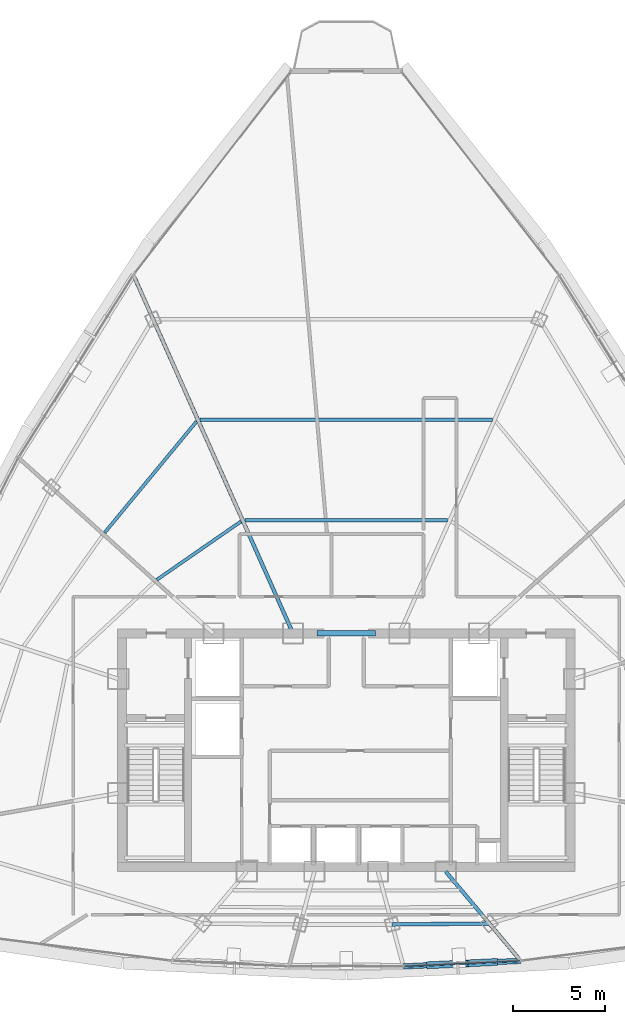
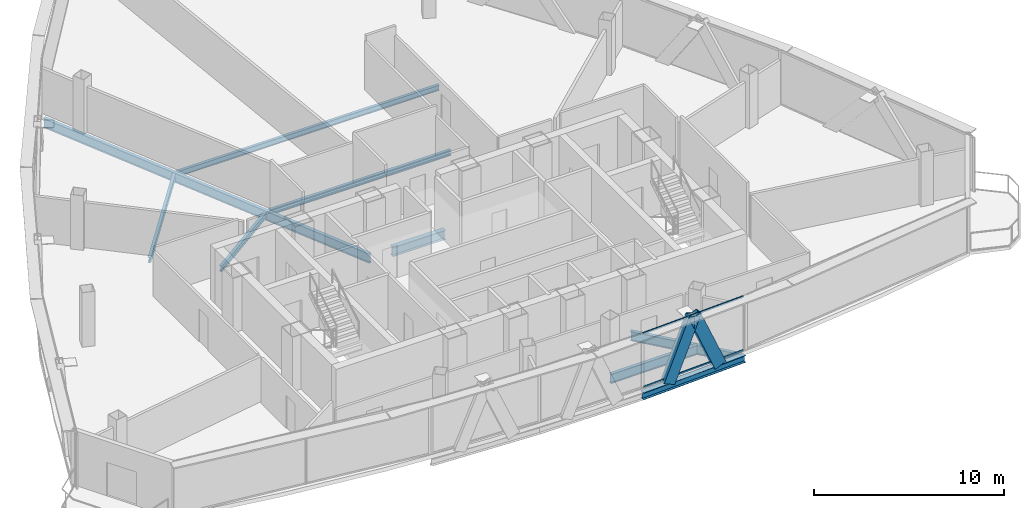
# One storey, part 10 of 30: 9 beams, 4 members, 1 element without a shape of its own.
"""IFC4 building model written with IfcOpenShell, lengths in metres."""

from ifc_helpers import new_model, si_unit, direction, frame, origin, origin_2d, place, context, subcontext, project, spatial, hollow_rectangle, i_section, extrude, source, transform, mapped, material, layer, layer_set, material_profile, profile_set, type_object, element, aggregate, save


model = new_model("IFC4")

# Units and contexts
model_context = context("Model", 3, precision=1e-05, world=origin(), true_north=direction((0.0, 1.0)))
body_context = subcontext(model_context, "Body", "Model", "MODEL_VIEW")
ifc_project = project(units=[si_unit("LENGTHUNIT", "METRE"), si_unit("AREAUNIT", "SQUARE_METRE"), si_unit("VOLUMEUNIT", "CUBIC_METRE"), si_unit("PLANEANGLEUNIT", "RADIAN"), si_unit("MASSUNIT", "GRAM", prefix="KILO"), si_unit("THERMODYNAMICTEMPERATUREUNIT", "KELVIN"), si_unit("POWERUNIT", "WATT")], contexts=[model_context])

# Site, building, storey
site_placement = place(None, origin())
site = spatial("IfcSite", under=ifc_project, at=site_placement, CompositionType="ELEMENT")
building_placement = place(site_placement, origin())
building = spatial("IfcBuilding", under=site, at=building_placement, Name="Yunzhuo Pagoda Commons", CompositionType="ELEMENT")
storey_placement = place(building_placement, frame((0.0, 0.0, 355.510009765625)))
storey = spatial("IfcBuildingStorey", under=building, at=storey_placement, Name="L89", CompositionType="ELEMENT", Elevation=355.510009765625)

# Beams
ifc_material_1 = material(Name="Structural steel Q420B", Category="steel")
ifc_material_profile_1 = material_profile(ifc_material_1, i_section(OverallWidth=0.300048828125, OverallDepth=0.587890625, WebThickness=0.011962890625, FlangeThickness=0.02001953125, at=origin_2d()), Name="Structural steel Q420B")
ifc_profile_set_1 = profile_set([ifc_material_profile_1], Name="Structural steel Q420B")
beam_type_1 = type_object("IfcBeamType", Name="B-CPL Beam HM 588x300x12x20", PredefinedType="BEAM", material=ifc_profile_set_1)
shared_shape_1 = source(origin(), body_context, "Body", "SweptSolid", [
    extrude(i_section(OverallWidth=0.300048828125, OverallDepth=0.587890625, WebThickness=0.011962890625, FlangeThickness=0.02001953125, at=origin_2d()), origin(), (0.0, 0.0, 1.0), 3.2001953125),
])
beam_1_placement = place(storey_placement, frame((46.39990234375, 40.199951171875, -0.553955078125), z_axis=(1.0, 0.0, 0.0), x_axis=(0.0, 1.0, 0.0)))
element("IfcBeam", 1, at=beam_1_placement, inside=storey, type_object=beam_type_1, Name="L89 core coupling girder", PredefinedType="BEAM", context=body_context, shape_type="MappedRepresentation", body=[
    mapped(shared_shape_1, transform((0.0, 0.0, 0.0), scale=1.0)),
])
ifc_material_2 = material(Name="Structural steel Q355B", Category="steel")
ifc_material_profile_2 = material_profile(ifc_material_2, i_section(OverallWidth=0.199951171875, OverallDepth=0.60009765625, WebThickness=0.010986328125, FlangeThickness=0.01708984375, at=origin_2d()), Name="Structural steel Q355B")
ifc_profile_set_2 = profile_set([ifc_material_profile_2], Name="Structural steel Q355B")
beam_type_2 = type_object("IfcBeamType", Name="B-RG3 Beam HN 600x200x11x17", PredefinedType="BEAM", material=ifc_profile_set_2)
shared_shape_2 = source(origin(), body_context, "Body", "SweptSolid", [
    extrude(i_section(OverallWidth=0.199951171875, OverallDepth=0.60009765625, WebThickness=0.010986328125, FlangeThickness=0.01708984375, at=origin_2d()), origin(), (0.0, 0.0, 1.0), 5.286376953125),
])
beam_2_placement = place(storey_placement, frame((50.499267578125, 24.372802734375, -0.56005859375), z_axis=(0.999957341442, 0.009236627946, 0.0), x_axis=(-0.009236627946, 0.999957341442, 0.0)))
element("IfcBeam", 2, at=beam_2_placement, inside=storey, type_object=beam_type_2, Name="L89 column-ring beam 3", PredefinedType="BEAM", context=body_context, shape_type="MappedRepresentation", body=[
    mapped(shared_shape_2, transform((0.0, 0.0, 0.0), scale=1.0)),
])
ifc_material_profile_3 = material_profile(ifc_material_2, i_section(OverallWidth=0.175048828125, OverallDepth=0.35009765625, WebThickness=0.007080078125, FlangeThickness=0.010986328125, at=origin_2d()), Name="Structural steel Q355B")
ifc_profile_set_3 = profile_set([ifc_material_profile_3], Name="Structural steel Q355B")
beam_type_3 = type_object("IfcBeamType", Name="B-JS2 Joist HN 350x175x7x11", PredefinedType="JOIST", material=ifc_profile_set_3)
shared_shape_3 = source(origin(), body_context, "Body", "SweptSolid", [
    extrude(i_section(OverallWidth=0.175048828125, OverallDepth=0.35009765625, WebThickness=0.007080078125, FlangeThickness=0.010986328125, at=origin_2d()), origin(), (0.0, 0.0, 1.0), 5.556640625),
])
beam_3_placement = place(storey_placement, frame((42.273681640625, 46.28369140625, -0.43505859375), z_axis=(-0.822084621883, -0.569365326011, 0.0), x_axis=(0.569365326011, -0.822084621883, 0.0)))
element("IfcBeam", 3, at=beam_3_placement, inside=storey, type_object=beam_type_3, Name="L89 composite ring joist 1.9", PredefinedType="JOIST", context=body_context, shape_type="MappedRepresentation", body=[
    mapped(shared_shape_3, transform((0.0, 0.0, 0.0), scale=1.0)),
])
shared_shape_4 = source(origin(), body_context, "Body", "SweptSolid", [
    extrude(i_section(OverallWidth=0.175048828125, OverallDepth=0.35009765625, WebThickness=0.007080078125, FlangeThickness=0.010986328125, at=origin_2d()), origin(), (0.0, 0.0, 1.0), 7.842529296875),
])
beam_4_placement = place(storey_placement, frame((39.861328125, 51.726318359375, -0.43505859375), z_axis=(-0.636899145749, -0.770947130577, 0.0), x_axis=(0.770947130577, -0.636899145749, 0.0)))
element("IfcBeam", 4, at=beam_4_placement, inside=storey, type_object=beam_type_3, Name="L89 composite ring joist 2.9", PredefinedType="JOIST", context=body_context, shape_type="MappedRepresentation", body=[
    mapped(shared_shape_4, transform((0.0, 0.0, 0.0), scale=1.0)),
])
shared_shape_5 = source(origin(), body_context, "Body", "SweptSolid", [
    extrude(i_section(OverallWidth=0.175048828125, OverallDepth=0.35009765625, WebThickness=0.007080078125, FlangeThickness=0.010986328125, at=origin_2d()), origin(), (0.0, 0.0, 1.0), 11.03369140625),
])
beam_5_placement = place(storey_placement, frame((53.516845703125, 46.34912109375, -0.43505859375), z_axis=(-1.0, 0.0, 0.0), x_axis=(0.0, -1.0, 0.0)))
element("IfcBeam", 5, at=beam_5_placement, inside=storey, type_object=beam_type_3, Name="L89 composite ring joist 1.8", PredefinedType="JOIST", context=body_context, shape_type="MappedRepresentation", body=[
    mapped(shared_shape_5, transform((0.0, 0.0, 0.0), scale=1.0)),
])
shared_shape_6 = source(origin(), body_context, "Body", "SweptSolid", [
    extrude(i_section(OverallWidth=0.175048828125, OverallDepth=0.35009765625, WebThickness=0.007080078125, FlangeThickness=0.010986328125, at=origin_2d()), origin(), (0.0, 0.0, 1.0), 15.900390625),
])
beam_6_placement = place(storey_placement, frame((55.9501953125, 51.81494140625, -0.43505859375), z_axis=(-1.0, 0.0, 0.0), x_axis=(0.0, -1.0, 0.0)))
element("IfcBeam", 6, at=beam_6_placement, inside=storey, type_object=beam_type_3, Name="L89 composite ring joist 2.8", PredefinedType="JOIST", context=body_context, shape_type="MappedRepresentation", body=[
    mapped(shared_shape_6, transform((0.0, 0.0, 0.0), scale=1.0)),
])
shared_shape_7 = source(origin(), body_context, "Body", "SweptSolid", [
    extrude(i_section(OverallWidth=0.199951171875, OverallDepth=0.60009765625, WebThickness=0.010986328125, FlangeThickness=0.01708984375, at=origin_2d()), origin(), (0.0, 0.0, 1.0), 6.185302734375),
])
beam_7_placement = place(storey_placement, frame((57.38818359375, 22.511962890625, -0.56005859375), z_axis=(-0.642824517448, 0.766013472315, 0.0), x_axis=(-0.766013472315, -0.642824517448, 0.0)))
element("IfcBeam", 7, at=beam_7_placement, inside=storey, type_object=beam_type_2, Name="L89 radial floor girder F1C4", PredefinedType="BEAM", context=body_context, shape_type="MappedRepresentation", body=[
    mapped(shared_shape_7, transform((0.0, 0.0, 0.0), scale=1.0)),
])
shared_shape_8 = source(origin(), body_context, "Body", "SweptSolid", [
    extrude(i_section(OverallWidth=0.199951171875, OverallDepth=0.60009765625, WebThickness=0.010986328125, FlangeThickness=0.01708984375, at=origin_2d()), origin(), (0.0, 0.0, 1.0), 21.180908203125),
])
beam_8_placement = place(storey_placement, frame((36.490966796875, 59.5498046875, -0.56005859375), z_axis=(0.406731930352, -0.913547555868, 0.0), x_axis=(0.913547555868, 0.406731930352, 0.0)))
element("IfcBeam", 8, at=beam_8_placement, inside=storey, type_object=beam_type_2, Name="L89 radial floor girder F3C1", PredefinedType="BEAM", context=body_context, shape_type="MappedRepresentation", body=[
    mapped(shared_shape_8, transform((0.0, 0.0, 0.0), scale=1.0)),
])
ifc_material_profile_4 = material_profile(ifc_material_2, i_section(OverallWidth=0.300048828125, OverallDepth=0.43994140625, WebThickness=0.010986328125, FlangeThickness=0.01806640625, at=origin_2d()), Name="Structural steel Q355B")
ifc_profile_set_4 = profile_set([ifc_material_profile_4], Name="Structural steel Q355B")
beam_type_4 = type_object("IfcBeamType", Name="B-SP2 Beam HM 440x300x11x18", PredefinedType="BEAM", material=ifc_profile_set_4)
shared_shape_9 = source(origin(), body_context, "Body", "SweptSolid", [
    extrude(i_section(OverallWidth=0.300048828125, OverallDepth=0.43994140625, WebThickness=0.010986328125, FlangeThickness=0.01806640625, at=origin_2d()), origin(), (0.0, 0.0, 1.0), 6.38330078125),
])
beam_9_placement = place(storey_placement, frame((51.111572265625, 22.087890625, -0.47998046875), z_axis=(0.998852857038, 0.04788496619, 0.0), x_axis=(-0.04788496619, 0.998852857038, 0.0)))
element("IfcBeam", 9, at=beam_9_placement, inside=storey, type_object=beam_type_4, Name="L89 facade edge spandrel beam F1.3", PredefinedType="BEAM", context=body_context, shape_type="MappedRepresentation", body=[
    mapped(shared_shape_9, transform((0.0, 0.0, 0.0), scale=1.0)),
])

# Members
ifc_material_profile_5 = material_profile(ifc_material_2, hollow_rectangle(XDim=0.3798828125, YDim=0.719970703125, WallThickness=0.02001953125, at=origin_2d()), Name="Structural steel Q355B")
ifc_profile_set_5 = profile_set([ifc_material_profile_5], Name="Structural steel Q355B")
member_type_1 = type_object("IfcMemberType", Name="M-DL3 Brace BOX 720x380x20", PredefinedType="BRACE", material=ifc_profile_set_5)
shared_shape_10 = source(origin(), body_context, "Body", "SweptSolid", [
    extrude(hollow_rectangle(XDim=0.3798828125, YDim=0.719970703125, WallThickness=0.02001953125, at=origin_2d()), origin(), (0.0, 0.0, 1.0), 4.075439453125),
])
for number, where, z_axis, x_axis, name in (
    (10, (52.70556640625, 22.164306640625, -0.260009765625), (0.391173355517, 0.018749963289, 0.920125993987), (-0.047877649927, 0.998853207752, 0.0), "L89 facade diamond brace F1.3L"),
    (11, (55.8935546875, 22.317138671875, -0.260009765625), (-0.391071872934, -0.018750841947, 0.920169112786), (0.047892284686, -0.998852506163, 0.0), "L89 facade diamond brace F1.3R"),
):
    element("IfcMember", number, at=place(storey_placement, frame(where, z_axis=z_axis, x_axis=x_axis)), inside=storey, type_object=member_type_1, Name=name, PredefinedType="BRACE", context=body_context, shape_type="MappedRepresentation", body=[
        mapped(shared_shape_10, transform((0.0, 0.0, 0.0), scale=1.0)),
    ])

# Curtain wall, members
ifc_material_3 = material(Name="Anodized aluminium 6063-T6", Category="aluminium")
ifc_layer = layer(ifc_material_3, 0.139892578125)
ifc_layer_set = layer_set([ifc_layer], Name="Anodized aluminium 6063-T6")
curtain_wall_type = type_object("IfcCurtainWallType", Name="CW-HI High-Zone Ribbon Curtain Wall", PredefinedType="NOTDEFINED", material=ifc_layer_set)
curtain_wall_placement = place(storey_placement, origin())
curtain_wall = element("IfcCurtainWall", 12, at=curtain_wall_placement, inside=storey, type_object=curtain_wall_type, Name="L89 curtain wall CW-L89-F1B4", PredefinedType="NOTDEFINED")
ifc_material_profile_6 = material_profile(ifc_material_3, hollow_rectangle(XDim=0.054931640625, YDim=0.1201171875, WallThickness=0.00341796875, at=origin_2d()), Name="Anodized aluminium 6063-T6")
ifc_profile_set_6 = profile_set([ifc_material_profile_6], Name="Anodized aluminium 6063-T6")
member_type_2 = type_object("IfcMemberType", Name="CW-HI-T Transom RHS 120x55x3.5", PredefinedType="USERDEFINED", material=ifc_profile_set_6)
shared_shape_11 = source(origin(), body_context, "Body", "SweptSolid", [
    extrude(hollow_rectangle(XDim=0.054931640625, YDim=0.1201171875, WallThickness=0.00341796875, at=origin_2d()), origin(), (0.0, 0.0, 1.0), 6.26318359375),
])
member_1_placement = place(storey_placement, frame((51.17138671875, 22.090576171875, 0.027587890625), z_axis=(0.998853717259, 0.047867019114, 0.0), x_axis=(-0.047867019114, 0.998853717259, 0.0)))
member_1 = element("IfcMember", 13, at=member_1_placement, type_object=member_type_2, Name="CW transom 1.1", ObjectType="TRANSOM", PredefinedType="USERDEFINED", context=body_context, shape_type="MappedRepresentation", body=[
    mapped(shared_shape_11, transform((0.0, 0.0, 0.0), scale=1.0)),
])
member_2_placement = place(storey_placement, frame((51.17138671875, 22.090576171875, 3.46240234375), z_axis=(0.998853717259, 0.047867019114, 0.0), x_axis=(-0.047867019114, 0.998853717259, 0.0)))
member_2 = element("IfcMember", 14, at=member_2_placement, type_object=member_type_2, Name="CW transom 1.2", ObjectType="TRANSOM", PredefinedType="USERDEFINED", context=body_context, shape_type="MappedRepresentation", body=[
    mapped(shared_shape_11, transform((0.0, 0.0, 0.0), scale=1.0)),
])
aggregate(curtain_wall, [member_1, member_2])

save(model, "model.ifc")
